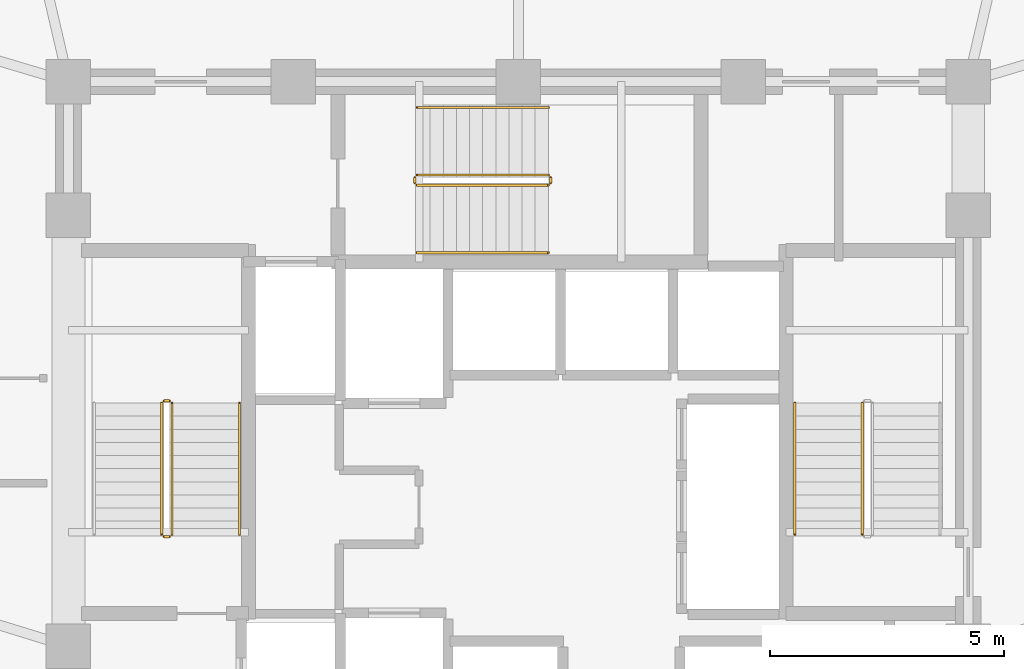
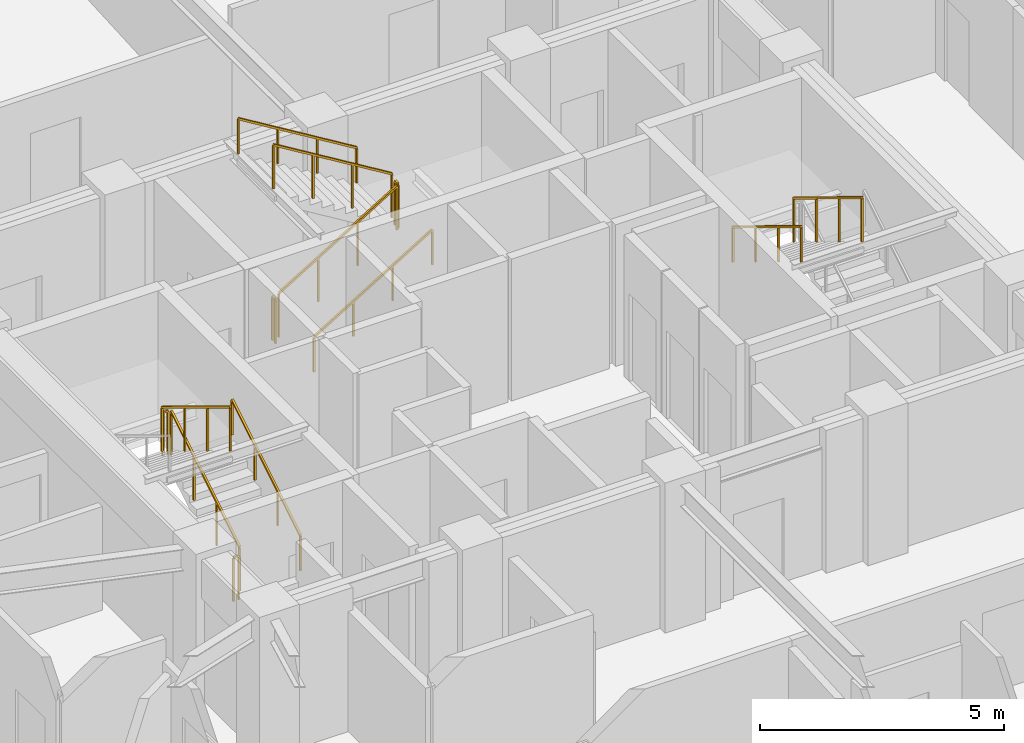
# One storey, part 27 of 29: 13 railings.
"""IFC4 building model written with IfcOpenShell, lengths in metres."""

from ifc_helpers import new_model, si_unit, direction, frame, origin, origin_2d, place, context, subcontext, project, spatial, rectangle, extrude, material, type_object, element, save


model = new_model("IFC4")

# Units and contexts
model_context = context("Model", 3, precision=1e-05, world=origin(), true_north=direction((0.0, 1.0)))
body_context = subcontext(model_context, "Body", "Model", "MODEL_VIEW")
ifc_project = project(units=[si_unit("LENGTHUNIT", "METRE"), si_unit("AREAUNIT", "SQUARE_METRE"), si_unit("VOLUMEUNIT", "CUBIC_METRE"), si_unit("PLANEANGLEUNIT", "RADIAN"), si_unit("MASSUNIT", "GRAM", prefix="KILO")], contexts=[model_context])

# Site, building, storey
site_placement = place(None, origin())
site = spatial("IfcSite", under=ifc_project, at=site_placement, CompositionType="ELEMENT")
building_placement = place(site_placement, origin())
building = spatial("IfcBuilding", under=site, at=building_placement, Name="Vantalir Tower", CompositionType="ELEMENT")
storey_placement = place(building_placement, frame((0.0, 0.0, 168.449951171875)))
storey = spatial("IfcBuildingStorey", under=building, at=storey_placement, Name="L42", CompositionType="ELEMENT", Elevation=168.449951171875)

# Railings
ifc_material_1 = material(Name="Anodised aluminium and stainless steel guard", Category="steel")
railing_type_1 = type_object("IfcRailingType", Name="RAL-GUARD-1120", PredefinedType="GUARDRAIL", material=ifc_material_1)
railing_1_placement = place(storey_placement, frame((24.110107421875, 22.7900390625, 0.17041015625)))
element("IfcRailing", 1, at=railing_1_placement, inside=storey, type_object=railing_type_1, Name="L42 ST1 stair guard 1", PredefinedType="GUARDRAIL", context=body_context, shape_type="SweptSolid", body=[
    extrude(rectangle(XDim=0.048095703125, YDim=0.048095703125, at=origin_2d()), frame((0.0, 0.0, 1.09619140625), z_axis=(0.0, 0.854169791009, 0.51999420009), x_axis=(-1.0, 0.0, 0.0)), (0.0, 0.0, 1.0), 3.278076171875),
    extrude(rectangle(XDim=0.0419921875, YDim=0.0419921875, at=origin_2d()), origin(), (0.0, 0.0, 1.0), 1.072021484375),
    extrude(rectangle(XDim=0.0419921875, YDim=0.0419921875, at=origin_2d()), frame((0.0, 0.933349609375, 0.568115234375)), (0.0, 0.0, 1.0), 1.072021484375),
    extrude(rectangle(XDim=0.0419921875, YDim=0.0419921875, at=origin_2d()), frame((0.0, 1.86669921875, 1.136474609375)), (0.0, 0.0, 1.0), 1.072021484375),
    extrude(rectangle(XDim=0.0419921875, YDim=0.0419921875, at=origin_2d()), frame((0.0, 2.800048828125, 1.70458984375)), (0.0, 0.0, 1.0), 1.072021484375),
])
railing_2_placement = place(storey_placement, frame((24.06005859375, 25.639892578125, 1.875)))
element("IfcRailing", 2, at=railing_2_placement, inside=storey, type_object=railing_type_1, Name="L42 ST1 stair guard 2", PredefinedType="GUARDRAIL", context=body_context, shape_type="SweptSolid", body=[
    extrude(rectangle(XDim=0.048095703125, YDim=0.048095703125, at=origin_2d()), frame((0.0, 0.0, 1.09619140625), z_axis=(-1.0, 0.0, 0.0), x_axis=(0.0, -1.0, 0.0)), (0.0, 0.0, 1.0), 0.1201171875),
    extrude(rectangle(XDim=0.0419921875, YDim=0.0419921875, at=origin_2d()), origin(), (0.0, 0.0, 1.0), 1.072021484375),
    extrude(rectangle(XDim=0.0419921875, YDim=0.0419921875, at=origin_2d()), frame((-0.1201171875, 0.0, 0.0)), (0.0, 0.0, 1.0), 1.072021484375),
])
railing_3_placement = place(storey_placement, frame((23.889892578125, 25.590087890625, 2.04541015625)))
element("IfcRailing", 3, at=railing_3_placement, inside=storey, type_object=railing_type_1, Name="L42 ST1 stair guard 3", PredefinedType="GUARDRAIL", context=body_context, shape_type="SweptSolid", body=[
    extrude(rectangle(XDim=0.048095703125, YDim=0.048095703125, at=origin_2d()), frame((0.0, 0.0, 1.09619140625), z_axis=(0.0, -0.854169791009, 0.51999420009), x_axis=(1.0, 0.0, 0.0)), (0.0, 0.0, 1.0), 3.278076171875),
    extrude(rectangle(XDim=0.0419921875, YDim=0.0419921875, at=origin_2d()), origin(), (0.0, 0.0, 1.0), 1.072021484375),
    extrude(rectangle(XDim=0.0419921875, YDim=0.0419921875, at=origin_2d()), frame((0.0, -0.933349609375, 0.568115234375)), (0.0, 0.0, 1.0), 1.072021484375),
    extrude(rectangle(XDim=0.0419921875, YDim=0.0419921875, at=origin_2d()), frame((0.0, -1.86669921875, 1.136474609375)), (0.0, 0.0, 1.0), 1.072021484375),
    extrude(rectangle(XDim=0.0419921875, YDim=0.0419921875, at=origin_2d()), frame((0.0, -2.800048828125, 1.70458984375)), (0.0, 0.0, 1.0), 1.072021484375),
])
railing_4_placement = place(storey_placement, frame((24.06005859375, 22.739990234375, 0.0)))
element("IfcRailing", 4, at=railing_4_placement, inside=storey, type_object=railing_type_1, Name="L42 ST1 stair guard 4", PredefinedType="GUARDRAIL", context=body_context, shape_type="SweptSolid", body=[
    extrude(rectangle(XDim=0.048095703125, YDim=0.048095703125, at=origin_2d()), frame((0.0, 0.0, 1.09619140625), z_axis=(-1.0, 0.0, 0.0), x_axis=(0.0, -1.0, 0.0)), (0.0, 0.0, 1.0), 0.1201171875),
    extrude(rectangle(XDim=0.0419921875, YDim=0.0419921875, at=origin_2d()), origin(), (0.0, 0.0, 1.0), 1.072021484375),
    extrude(rectangle(XDim=0.0419921875, YDim=0.0419921875, at=origin_2d()), frame((-0.1201171875, 0.0, 0.0)), (0.0, 0.0, 1.0), 1.072021484375),
])
railing_5_placement = place(storey_placement, frame((38.840087890625, 25.590087890625, 2.04541015625)))
element("IfcRailing", 5, at=railing_5_placement, inside=storey, type_object=railing_type_1, Name="L42 ST2 stair guard 3", PredefinedType="GUARDRAIL", context=body_context, shape_type="SweptSolid", body=[
    extrude(rectangle(XDim=0.048095703125, YDim=0.048095703125, at=origin_2d()), frame((0.0, 0.0, 1.09619140625), z_axis=(0.0, -0.854169791009, 0.51999420009), x_axis=(1.0, 0.0, 0.0)), (0.0, 0.0, 1.0), 3.278076171875),
    extrude(rectangle(XDim=0.0419921875, YDim=0.0419921875, at=origin_2d()), origin(), (0.0, 0.0, 1.0), 1.072021484375),
    extrude(rectangle(XDim=0.0419921875, YDim=0.0419921875, at=origin_2d()), frame((0.0, -0.933349609375, 0.568115234375)), (0.0, 0.0, 1.0), 1.072021484375),
    extrude(rectangle(XDim=0.0419921875, YDim=0.0419921875, at=origin_2d()), frame((0.0, -1.86669921875, 1.136474609375)), (0.0, 0.0, 1.0), 1.072021484375),
    extrude(rectangle(XDim=0.0419921875, YDim=0.0419921875, at=origin_2d()), frame((0.0, -2.800048828125, 1.70458984375)), (0.0, 0.0, 1.0), 1.072021484375),
])
railing_6_placement = place(storey_placement, frame((29.340087890625, 30.239990234375, 0.17041015625)))
element("IfcRailing", 6, at=railing_6_placement, inside=storey, type_object=railing_type_1, Name="L42 ST3 stair guard 1", PredefinedType="GUARDRAIL", context=body_context, shape_type="SweptSolid", body=[
    extrude(rectangle(XDim=0.048095703125, YDim=0.048095703125, at=origin_2d()), frame((0.0, 0.0, 1.09619140625), z_axis=(0.854149651119, 0.0, 0.520027281489), x_axis=(0.0, 1.0, 0.0)), (0.0, 0.0, 1.0), 3.27783203125),
    extrude(rectangle(XDim=0.0419921875, YDim=0.0419921875, at=origin_2d()), origin(), (0.0, 0.0, 1.0), 1.072021484375),
    extrude(rectangle(XDim=0.0419921875, YDim=0.0419921875, at=origin_2d()), frame((0.933349609375, 0.0, 0.568115234375)), (0.0, 0.0, 1.0), 1.072021484375),
    extrude(rectangle(XDim=0.0419921875, YDim=0.0419921875, at=origin_2d()), frame((1.866455078125, 0.0, 1.136474609375)), (0.0, 0.0, 1.0), 1.072021484375),
    extrude(rectangle(XDim=0.0419921875, YDim=0.0419921875, at=origin_2d()), frame((2.7998046875, 0.0, 1.70458984375)), (0.0, 0.0, 1.0), 1.072021484375),
])
railing_7_placement = place(storey_placement, frame((32.18994140625, 30.2900390625, 1.875)))
element("IfcRailing", 7, at=railing_7_placement, inside=storey, type_object=railing_type_1, Name="L42 ST3 stair guard 2", PredefinedType="GUARDRAIL", context=body_context, shape_type="SweptSolid", body=[
    extrude(rectangle(XDim=0.048095703125, YDim=0.048095703125, at=origin_2d()), frame((0.0, 0.0, 1.09619140625), z_axis=(0.0, 1.0, 0.0), x_axis=(-1.0, 0.0, 0.0)), (0.0, 0.0, 1.0), 0.119873046875),
    extrude(rectangle(XDim=0.0419921875, YDim=0.0419921875, at=origin_2d()), origin(), (0.0, 0.0, 1.0), 1.072021484375),
    extrude(rectangle(XDim=0.0419921875, YDim=0.0419921875, at=origin_2d()), frame((0.0, 0.119873046875, 0.0)), (0.0, 0.0, 1.0), 1.072021484375),
])
railing_8_placement = place(storey_placement, frame((32.139892578125, 30.4599609375, 2.04541015625)))
element("IfcRailing", 8, at=railing_8_placement, inside=storey, type_object=railing_type_1, Name="L42 ST3 stair guard 3", PredefinedType="GUARDRAIL", context=body_context, shape_type="SweptSolid", body=[
    extrude(rectangle(XDim=0.048095703125, YDim=0.048095703125, at=origin_2d()), frame((0.0, 0.0, 1.09619140625), z_axis=(-0.854149651119, 0.0, 0.520027281489), x_axis=(0.0, -1.0, 0.0)), (0.0, 0.0, 1.0), 3.27783203125),
    extrude(rectangle(XDim=0.0419921875, YDim=0.0419921875, at=origin_2d()), origin(), (0.0, 0.0, 1.0), 1.072021484375),
    extrude(rectangle(XDim=0.0419921875, YDim=0.0419921875, at=origin_2d()), frame((-0.933349609375, 0.0, 0.568115234375)), (0.0, 0.0, 1.0), 1.072021484375),
    extrude(rectangle(XDim=0.0419921875, YDim=0.0419921875, at=origin_2d()), frame((-1.866455078125, 0.0, 1.136474609375)), (0.0, 0.0, 1.0), 1.072021484375),
    extrude(rectangle(XDim=0.0419921875, YDim=0.0419921875, at=origin_2d()), frame((-2.7998046875, 0.0, 1.70458984375)), (0.0, 0.0, 1.0), 1.072021484375),
])
railing_9_placement = place(storey_placement, frame((29.2900390625, 30.2900390625, 0.0)))
element("IfcRailing", 9, at=railing_9_placement, inside=storey, type_object=railing_type_1, Name="L42 ST3 stair guard 4", PredefinedType="GUARDRAIL", context=body_context, shape_type="SweptSolid", body=[
    extrude(rectangle(XDim=0.048095703125, YDim=0.048095703125, at=origin_2d()), frame((0.0, 0.0, 1.09619140625), z_axis=(0.0, 1.0, 0.0), x_axis=(-1.0, 0.0, 0.0)), (0.0, 0.0, 1.0), 0.119873046875),
    extrude(rectangle(XDim=0.0419921875, YDim=0.0419921875, at=origin_2d()), origin(), (0.0, 0.0, 1.0), 1.072021484375),
    extrude(rectangle(XDim=0.0419921875, YDim=0.0419921875, at=origin_2d()), frame((0.0, 0.119873046875, 0.0)), (0.0, 0.0, 1.0), 1.072021484375),
])
ifc_material_2 = material(Name="Brushed stainless steel tubular handrail", Category="steel")
railing_type_2 = type_object("IfcRailingType", Name="RAL-HANDRAIL-900", PredefinedType="HANDRAIL", material=ifc_material_2)
railing_10_placement = place(storey_placement, frame((25.550048828125, 22.7900390625, 0.17041015625)))
element("IfcRailing", 10, at=railing_10_placement, inside=storey, type_object=railing_type_2, Name="L42 ST1 stair handrail 1", PredefinedType="HANDRAIL", context=body_context, shape_type="SweptSolid", body=[
    extrude(rectangle(XDim=0.048095703125, YDim=0.048095703125, at=origin_2d()), frame((0.0, 0.0, 0.8759765625), z_axis=(0.0, 0.854169791009, 0.51999420009), x_axis=(-1.0, 0.0, 0.0)), (0.0, 0.0, 1.0), 3.278076171875),
    extrude(rectangle(XDim=0.0419921875, YDim=0.0419921875, at=origin_2d()), origin(), (0.0, 0.0, 1.0), 0.851806640625),
    extrude(rectangle(XDim=0.0419921875, YDim=0.0419921875, at=origin_2d()), frame((0.0, 0.933349609375, 0.568115234375)), (0.0, 0.0, 1.0), 0.851806640625),
    extrude(rectangle(XDim=0.0419921875, YDim=0.0419921875, at=origin_2d()), frame((0.0, 1.86669921875, 1.136474609375)), (0.0, 0.0, 1.0), 0.851806640625),
    extrude(rectangle(XDim=0.0419921875, YDim=0.0419921875, at=origin_2d()), frame((0.0, 2.800048828125, 1.70458984375)), (0.0, 0.0, 1.0), 0.851806640625),
])
railing_11_placement = place(storey_placement, frame((37.39990234375, 25.590087890625, 2.04541015625)))
element("IfcRailing", 11, at=railing_11_placement, inside=storey, type_object=railing_type_2, Name="L42 ST2 stair handrail 2", PredefinedType="HANDRAIL", context=body_context, shape_type="SweptSolid", body=[
    extrude(rectangle(XDim=0.048095703125, YDim=0.048095703125, at=origin_2d()), frame((0.0, 0.0, 0.8759765625), z_axis=(0.0, -0.854169791009, 0.51999420009), x_axis=(1.0, 0.0, 0.0)), (0.0, 0.0, 1.0), 3.278076171875),
    extrude(rectangle(XDim=0.0419921875, YDim=0.0419921875, at=origin_2d()), origin(), (0.0, 0.0, 1.0), 0.851806640625),
    extrude(rectangle(XDim=0.0419921875, YDim=0.0419921875, at=origin_2d()), frame((0.0, -0.933349609375, 0.568115234375)), (0.0, 0.0, 1.0), 0.851806640625),
    extrude(rectangle(XDim=0.0419921875, YDim=0.0419921875, at=origin_2d()), frame((0.0, -1.86669921875, 1.136474609375)), (0.0, 0.0, 1.0), 0.851806640625),
    extrude(rectangle(XDim=0.0419921875, YDim=0.0419921875, at=origin_2d()), frame((0.0, -2.800048828125, 1.70458984375)), (0.0, 0.0, 1.0), 0.851806640625),
])
railing_12_placement = place(storey_placement, frame((29.340087890625, 28.800048828125, 0.17041015625)))
element("IfcRailing", 12, at=railing_12_placement, inside=storey, type_object=railing_type_2, Name="L42 ST3 stair handrail 1", PredefinedType="HANDRAIL", context=body_context, shape_type="SweptSolid", body=[
    extrude(rectangle(XDim=0.048095703125, YDim=0.048095703125, at=origin_2d()), frame((0.0, 0.0, 0.8759765625), z_axis=(0.854149651119, 0.0, 0.520027281489), x_axis=(0.0, 1.0, 0.0)), (0.0, 0.0, 1.0), 3.27783203125),
    extrude(rectangle(XDim=0.0419921875, YDim=0.0419921875, at=origin_2d()), origin(), (0.0, 0.0, 1.0), 0.851806640625),
    extrude(rectangle(XDim=0.0419921875, YDim=0.0419921875, at=origin_2d()), frame((0.933349609375, 0.0, 0.568115234375)), (0.0, 0.0, 1.0), 0.851806640625),
    extrude(rectangle(XDim=0.0419921875, YDim=0.0419921875, at=origin_2d()), frame((1.866455078125, 0.0, 1.136474609375)), (0.0, 0.0, 1.0), 0.851806640625),
    extrude(rectangle(XDim=0.0419921875, YDim=0.0419921875, at=origin_2d()), frame((2.7998046875, 0.0, 1.70458984375)), (0.0, 0.0, 1.0), 0.851806640625),
])
railing_13_placement = place(storey_placement, frame((32.139892578125, 31.89990234375, 2.04541015625)))
element("IfcRailing", 13, at=railing_13_placement, inside=storey, type_object=railing_type_2, Name="L42 ST3 stair handrail 2", PredefinedType="HANDRAIL", context=body_context, shape_type="SweptSolid", body=[
    extrude(rectangle(XDim=0.048095703125, YDim=0.048095703125, at=origin_2d()), frame((0.0, 0.0, 0.8759765625), z_axis=(-0.854149651119, 0.0, 0.520027281489), x_axis=(0.0, -1.0, 0.0)), (0.0, 0.0, 1.0), 3.27783203125),
    extrude(rectangle(XDim=0.0419921875, YDim=0.0419921875, at=origin_2d()), origin(), (0.0, 0.0, 1.0), 0.851806640625),
    extrude(rectangle(XDim=0.0419921875, YDim=0.0419921875, at=origin_2d()), frame((-0.933349609375, 0.0, 0.568115234375)), (0.0, 0.0, 1.0), 0.851806640625),
    extrude(rectangle(XDim=0.0419921875, YDim=0.0419921875, at=origin_2d()), frame((-1.866455078125, 0.0, 1.136474609375)), (0.0, 0.0, 1.0), 0.851806640625),
    extrude(rectangle(XDim=0.0419921875, YDim=0.0419921875, at=origin_2d()), frame((-2.7998046875, 0.0, 1.70458984375)), (0.0, 0.0, 1.0), 0.851806640625),
])

save(model, "model.ifc")
